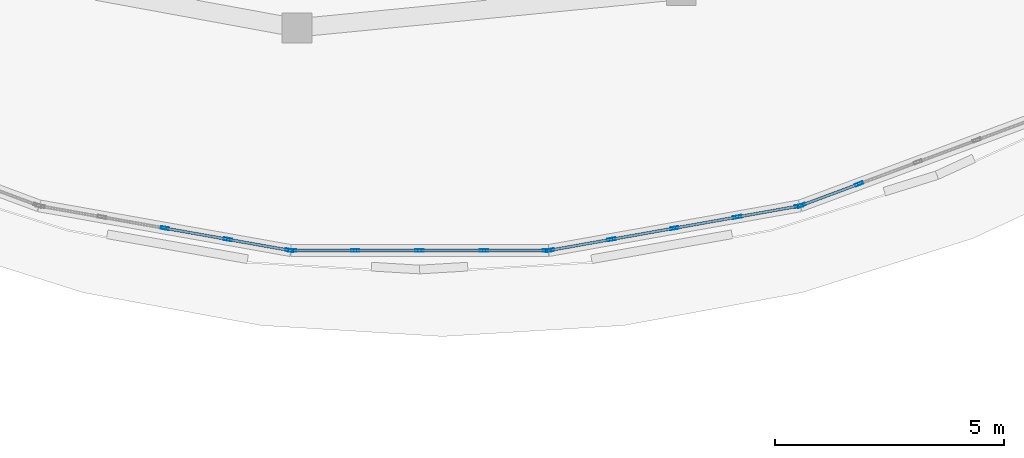
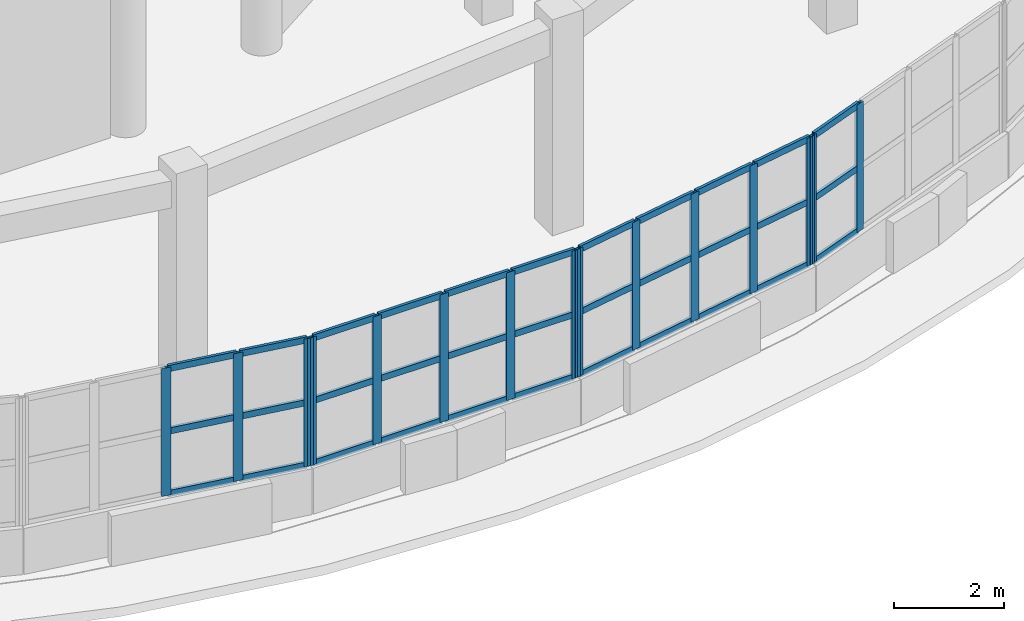
# One storey, part 12 of 105: 48 members, 4 elements without a shape of their own.
"""IFC4 building model written with IfcOpenShell, lengths in metres."""

import ifcopenshell
import ifcopenshell.guid

model = None  # the IFC model being written
_history = None  # IfcOwnerHistory: only IFC2X3 demands one
_inside = {}  # id of a spatial element -> (the spatial element, [elements in it])
_under = {}  # id of a project, library or spatial element -> (it, [spatial elements below it])
_declared = {}  # id of a project -> (the project, [libraries it declares])
_typed = {}  # id of a type object -> (the type object, [elements of that type])
_made_of = {}  # id of a material, layer set ... -> (it, [elements and type objects made of it])


def new_model(schema):
    """Start an empty IFC model of exactly this schema.

    Asked for "IFC4X3", IfcOpenShell would pick the latest addendum, in which some entities
    have other attributes; the version numbers below select the first issue.
    IFC2X3 requires an IfcOwnerHistory on every rooted entity: one is made here for all.
    """
    global model, _history
    if schema == "IFC4X3":
        model = ifcopenshell.file(schema_version=(4, 3, 0, 0))
    else:
        model = ifcopenshell.file(schema=schema)
    _inside.clear()
    _under.clear()
    _declared.clear()
    _typed.clear()
    _made_of.clear()
    _history = None
    if model.schema == "IFC2X3":
        org = make("IfcOrganization", Name="unknown")
        user = make(
            "IfcPersonAndOrganization",
            ThePerson=make("IfcPerson", FamilyName="unknown"),
            TheOrganization=org,
        )
        app = make(
            "IfcApplication",
            ApplicationDeveloper=org,
            Version="unknown",
            ApplicationFullName="unknown",
            ApplicationIdentifier="unknown",
        )
        _history = make(
            "IfcOwnerHistory",
            OwningUser=user,
            OwningApplication=app,
            ChangeAction="ADDED",
            CreationDate=0,
        )
    return model


def make(cls, **values):
    """One entity of the class cls with the attributes given. An attribute that is None is left unset."""
    return model.create_entity(
        cls, **{name: value for name, value in values.items() if value is not None}
    )


def rooted(cls, **values):
    """An entity with a GlobalId (a new one), such as an element, a storey or a relation."""
    return make(cls, GlobalId=ifcopenshell.guid.new(), OwnerHistory=_history, **values)


def si_unit(unit_type, name, prefix=None):
    """IfcSIUnit, for example si_unit("LENGTHUNIT", "METRE", prefix="MILLI")."""
    return make("IfcSIUnit", UnitType=unit_type, Prefix=prefix, Name=name)


def assignment(units):
    """IfcUnitAssignment: the units of a project."""
    return None if units is None else make("IfcUnitAssignment", Units=units)


def point(xyz):
    """IfcCartesianPoint."""
    return None if xyz is None else make("IfcCartesianPoint", Coordinates=xyz)


def direction(xyz):
    """IfcDirection."""
    return None if xyz is None else make("IfcDirection", DirectionRatios=xyz)


def frame(location, z_axis=None, x_axis=None):
    """IfcAxis2Placement3D, a coordinate frame: its origin and axes. An axis left out is left unset."""
    return make(
        "IfcAxis2Placement3D",
        Location=point(location),
        Axis=direction(z_axis),
        RefDirection=direction(x_axis),
    )


def frame_2d(location, x_axis=None):
    """IfcAxis2Placement2D, a coordinate frame in the plane: its origin and x axis."""
    return make(
        "IfcAxis2Placement2D", Location=point(location), RefDirection=direction(x_axis)
    )


def origin():
    """The frame at (0, 0, 0) with its axes left unset."""
    return frame((0.0, 0.0, 0.0))


def origin_2d():
    """The frame at (0, 0) in the plane with its x axis left unset."""
    return frame_2d((0.0, 0.0))


def place(relative_to, where):
    """IfcLocalPlacement: puts the frame where relative to a parent placement (None: the world)."""
    return make(
        "IfcLocalPlacement", PlacementRelTo=relative_to, RelativePlacement=where
    )


def context(
    kind, dimensions, precision=None, world=None, true_north=None, identifier=None
):
    """IfcGeometricRepresentationContext, for example the 3D "Model" context."""
    return make(
        "IfcGeometricRepresentationContext",
        ContextIdentifier=identifier,
        ContextType=kind,
        CoordinateSpaceDimension=dimensions,
        Precision=precision,
        WorldCoordinateSystem=world,
        TrueNorth=true_north,
    )


def subcontext(parent, identifier, kind, view, scale=None):
    """IfcGeometricRepresentationSubContext, for example "Body" below "Model"."""
    return make(
        "IfcGeometricRepresentationSubContext",
        ContextIdentifier=identifier,
        ContextType=kind,
        ParentContext=parent,
        TargetScale=scale,
        TargetView=view,
    )


def project(units=None, contexts=None):
    """IfcProject with its units and contexts."""
    return rooted(
        "IfcProject",
        Name="project",
        RepresentationContexts=contexts,
        UnitsInContext=assignment(units),
    )


def spatial(cls, under=None, at=None, **own):
    """A site, building, storey or space (cls), placed at a placement, below another one or the project."""
    s = rooted(cls, ObjectPlacement=at, **own)
    if under is not None:
        _under.setdefault(under.id(), (under, []))[1].append(s)
    return s


def profile(cls, at=None, kind="AREA", **sizes):
    """A parametric profile (cls). Its sizes go by their IFC names, for example OverallWidth=200.0."""
    return make(cls, ProfileType=kind, Position=at, **sizes)


def hollow_rectangle(**sizes):
    """IfcRectangleHollowProfileDef."""
    return profile("IfcRectangleHollowProfileDef", **sizes)


def extrude(swept, where, along, depth):
    """IfcExtrudedAreaSolid: the profile swept, set in the frame where, extruded along a direction by depth."""
    return make(
        "IfcExtrudedAreaSolid",
        SweptArea=swept,
        Position=where,
        ExtrudedDirection=direction(along),
        Depth=depth,
    )


def shape(context_of_items, identifier, shape_type, items):
    """IfcShapeRepresentation: the items that make up one representation, for example the "Body"."""
    return make(
        "IfcShapeRepresentation",
        ContextOfItems=context_of_items,
        RepresentationIdentifier=identifier,
        RepresentationType=shape_type,
        Items=items,
    )


def material(Name=None, Category=None):
    """IfcMaterial."""
    return make("IfcMaterial", Name=Name, Category=Category)


def layer(
    of_material, thickness, ventilated=None, Name=None, Category=None, Priority=None
):
    """IfcMaterialLayer: one layer of a wall or slab, of a material (None: an air gap)."""
    return make(
        "IfcMaterialLayer",
        Material=of_material,
        LayerThickness=thickness,
        IsVentilated=ventilated,
        Name=Name,
        Category=Category,
        Priority=Priority,
    )


def layer_set(layers, Name=None):
    """IfcMaterialLayerSet."""
    return make("IfcMaterialLayerSet", MaterialLayers=layers, LayerSetName=Name)


def material_profile(
    of_material, cross_section, Name=None, Category=None, Priority=None
):
    """IfcMaterialProfile: a cross section and its material."""
    return make(
        "IfcMaterialProfile",
        Name=Name,
        Material=of_material,
        Profile=cross_section,
        Priority=Priority,
        Category=Category,
    )


def profile_set(profiles, Name=None, composite=None):
    """IfcMaterialProfileSet."""
    return make(
        "IfcMaterialProfileSet",
        Name=Name,
        MaterialProfiles=profiles,
        CompositeProfile=composite,
    )


def made_of(thing, what):
    """Note that an element or type object is made of a material, layer set ...; save() writes the relation."""
    if what is not None:
        _made_of.setdefault(what.id(), (what, []))[1].append(thing)
    return thing


def type_object(cls, material=None, **own):
    """A type object (cls), such as IfcWallType, which elements share."""
    return made_of(rooted(cls, **own), material)


def element(
    cls,
    number,
    at=None,
    inside=None,
    cuts=None,
    type_object=None,
    material=None,
    context=None,
    identifier="Body",
    shape_type=None,
    held_by="IfcProductDefinitionShape",
    body=None,
    shapes=None,
    **own,
):
    """One element of the class cls, such as IfcWall. Its Tag is "e" and its number.

    at: its placement. inside: the storey or other place that contains it. cuts: it is an
    opening in that element (IfcRelVoidsElement). A single representation is given by context,
    identifier, shape_type and body (its items); several are given by shapes. held_by: the class
    of the entity that holds the representations. save() writes the other relations.
    """
    e = rooted(cls, Tag="e%d" % number, ObjectPlacement=at, **own)
    if body is not None:
        shapes = [shape(context, identifier, shape_type, body)]
    if shapes is not None:
        e.Representation = make(held_by, Representations=shapes)
    if inside is not None:
        _inside.setdefault(inside.id(), (inside, []))[1].append(e)
    if cuts is not None:
        rooted(
            "IfcRelVoidsElement", RelatingBuildingElement=cuts, RelatedOpeningElement=e
        )
    if type_object is not None:
        _typed.setdefault(type_object.id(), (type_object, []))[1].append(e)
    return made_of(e, material)


def aggregate(whole, parts):
    """IfcRelAggregates: a whole, such as a stair, and the parts it consists of."""
    return rooted("IfcRelAggregates", RelatingObject=whole, RelatedObjects=parts)


def save(model, path):
    """Write the relations noted so far, then the file.

    IfcRelAggregates (storeys below a building ...), IfcRelContainedInSpatialStructure (elements
    in a storey), IfcRelDefinesByType, IfcRelAssociatesMaterial and IfcRelDeclares: one each for
    every whole, place, type object, material and project.
    """
    for whole, parts in _under.values():
        aggregate(whole, parts)
    for where, things in _inside.values():
        rooted(
            "IfcRelContainedInSpatialStructure",
            RelatedElements=things,
            RelatingStructure=where,
        )
    for kind, things in _typed.values():
        rooted("IfcRelDefinesByType", RelatedObjects=things, RelatingType=kind)
    for what, things in _made_of.values():
        rooted("IfcRelAssociatesMaterial", RelatedObjects=things, RelatingMaterial=what)
    for by, libraries in _declared.values():
        rooted("IfcRelDeclares", RelatingContext=by, RelatedDefinitions=libraries)
    model.write(path)


model = new_model("IFC4")

# Units and contexts
model_context = context("Model", 3, precision=1e-05, world=origin(), true_north=direction((0.0, 1.0)))
body_context = subcontext(model_context, "Body", "Model", "MODEL_VIEW")
ifc_project = project(units=[si_unit("LENGTHUNIT", "METRE"), si_unit("AREAUNIT", "SQUARE_METRE"), si_unit("VOLUMEUNIT", "CUBIC_METRE"), si_unit("PLANEANGLEUNIT", "RADIAN"), si_unit("MASSUNIT", "GRAM", prefix="KILO")], contexts=[model_context])

# Site, building, storey
site_placement = place(None, origin())
site = spatial("IfcSite", under=ifc_project, at=site_placement, CompositionType="ELEMENT")
building_placement = place(site_placement, origin())
building = spatial("IfcBuilding", under=site, at=building_placement, Name="Pelvatis Terrace Science Centre", CompositionType="ELEMENT")
storey_placement = place(building_placement, frame((0.0, 0.0, 10.199951171875)))
storey = spatial("IfcBuildingStorey", under=building, at=storey_placement, Name="L02", CompositionType="ELEMENT", Elevation=10.199951171875)

# Curtain wall, members
ifc_material_1 = material(Name="Bronze-anodised aluminium and laminated glass", Category="aluminium")
ifc_layer = layer(ifc_material_1, 0.179931640625)
ifc_layer_set = layer_set([ifc_layer], Name="Bronze-anodised aluminium and laminated glass")
curtain_wall_type = type_object("IfcCurtainWallType", Name="CW-RIBBON-A", PredefinedType="NOTDEFINED", material=ifc_layer_set)
curtain_wall_1_placement = place(storey_placement, origin())
curtain_wall_1 = element("IfcCurtainWall", 1, at=curtain_wall_1_placement, inside=storey, type_object=curtain_wall_type, Name="Ribbon curtain wall CW-174 (L02)", PredefinedType="NOTDEFINED")
ifc_material_2 = material(Name="Bronze-anodised aluminium 6063-T6", Category="aluminium")
ifc_material_profile_1 = material_profile(ifc_material_2, hollow_rectangle(XDim=0.06005859375, YDim=0.179931640625, WallThickness=0.00390625, at=origin_2d()), Name="ALU-MUL 60x180")
ifc_profile_set_1 = profile_set([ifc_material_profile_1], Name="Bronze-anodised aluminium 6063-T6")
member_type_1 = type_object("IfcMemberType", Name="CWM-60x180", PredefinedType="MULLION", material=ifc_profile_set_1)
member_1_placement = place(storey_placement, frame((105.048095703125, 61.560791015625, 1.02001953125), z_axis=(0.0, 0.0, 1.0), x_axis=(0.174983117252, 0.984571434014, 0.0)))
member_1 = element("IfcMember", 2, at=member_1_placement, type_object=member_type_1, Name="CW-174 mullion 3", PredefinedType="MULLION", context=body_context, shape_type="SweptSolid", body=[
    extrude(hollow_rectangle(XDim=0.06005859375, YDim=0.179931640625, WallThickness=0.00390625, at=origin_2d()), origin(), (0.0, 0.0, 1.0), 2.840087890625),
])
member_2_placement = place(storey_placement, frame((106.420654296875, 61.31689453125, 1.02001953125), z_axis=(0.0, 0.0, 1.0), x_axis=(0.174983117252, 0.984571434014, 0.0)))
member_2 = element("IfcMember", 3, at=member_2_placement, type_object=member_type_1, Name="CW-174 mullion 4", PredefinedType="MULLION", context=body_context, shape_type="SweptSolid", body=[
    extrude(hollow_rectangle(XDim=0.06005859375, YDim=0.179931640625, WallThickness=0.00390625, at=origin_2d()), origin(), (0.0, 0.0, 1.0), 2.840087890625),
])
member_3_placement = place(storey_placement, frame((107.763916015625, 61.078369140625, 1.02001953125), z_axis=(0.0, 0.0, 1.0), x_axis=(0.174983117252, 0.984571434014, 0.0)))
member_3 = element("IfcMember", 4, at=member_3_placement, type_object=member_type_1, Name="CW-174 mullion 5", PredefinedType="MULLION", context=body_context, shape_type="SweptSolid", body=[
    extrude(hollow_rectangle(XDim=0.06005859375, YDim=0.179931640625, WallThickness=0.00390625, at=origin_2d()), origin(), (0.0, 0.0, 1.0), 2.840087890625),
])

curtain_wall_2_placement = place(storey_placement, origin())
curtain_wall_2 = element("IfcCurtainWall", 5, at=curtain_wall_2_placement, inside=storey, type_object=curtain_wall_type, Name="Ribbon curtain wall CW-175 (L02)", PredefinedType="NOTDEFINED")
member_4_placement = place(storey_placement, frame((107.823486328125, 61.072998046875, 1.02001953125), z_axis=(0.0, 0.0, 1.0), x_axis=(0.0, 1.0, 0.0)))
member_4 = element("IfcMember", 6, at=member_4_placement, type_object=member_type_1, Name="CW-175 mullion 1", PredefinedType="MULLION", context=body_context, shape_type="SweptSolid", body=[
    extrude(hollow_rectangle(XDim=0.06005859375, YDim=0.179931640625, WallThickness=0.00390625, at=origin_2d()), origin(), (0.0, 0.0, 1.0), 2.840087890625),
])
member_5_placement = place(storey_placement, frame((109.19677734375, 61.072998046875, 1.02001953125), z_axis=(0.0, 0.0, 1.0), x_axis=(0.0, 1.0, 0.0)))
member_5 = element("IfcMember", 7, at=member_5_placement, type_object=member_type_1, Name="CW-175 mullion 2", PredefinedType="MULLION", context=body_context, shape_type="SweptSolid", body=[
    extrude(hollow_rectangle(XDim=0.06005859375, YDim=0.179931640625, WallThickness=0.00390625, at=origin_2d()), origin(), (0.0, 0.0, 1.0), 2.840087890625),
])
member_6_placement = place(storey_placement, frame((110.60009765625, 61.072998046875, 1.02001953125), z_axis=(0.0, 0.0, 1.0), x_axis=(0.0, 1.0, 0.0)))
member_6 = element("IfcMember", 8, at=member_6_placement, type_object=member_type_1, Name="CW-175 mullion 3", PredefinedType="MULLION", context=body_context, shape_type="SweptSolid", body=[
    extrude(hollow_rectangle(XDim=0.06005859375, YDim=0.179931640625, WallThickness=0.00390625, at=origin_2d()), origin(), (0.0, 0.0, 1.0), 2.840087890625),
])
member_7_placement = place(storey_placement, frame((112.00341796875, 61.072998046875, 1.02001953125), z_axis=(0.0, 0.0, 1.0), x_axis=(0.0, 1.0, 0.0)))
member_7 = element("IfcMember", 9, at=member_7_placement, type_object=member_type_1, Name="CW-175 mullion 4", PredefinedType="MULLION", context=body_context, shape_type="SweptSolid", body=[
    extrude(hollow_rectangle(XDim=0.06005859375, YDim=0.179931640625, WallThickness=0.00390625, at=origin_2d()), origin(), (0.0, 0.0, 1.0), 2.840087890625),
])
member_8_placement = place(storey_placement, frame((113.376708984375, 61.072998046875, 1.02001953125), z_axis=(0.0, 0.0, 1.0), x_axis=(0.0, 1.0, 0.0)))
member_8 = element("IfcMember", 10, at=member_8_placement, type_object=member_type_1, Name="CW-175 mullion 5", PredefinedType="MULLION", context=body_context, shape_type="SweptSolid", body=[
    extrude(hollow_rectangle(XDim=0.06005859375, YDim=0.179931640625, WallThickness=0.00390625, at=origin_2d()), origin(), (0.0, 0.0, 1.0), 2.840087890625),
])

curtain_wall_3_placement = place(storey_placement, origin())
curtain_wall_3 = element("IfcCurtainWall", 11, at=curtain_wall_3_placement, inside=storey, type_object=curtain_wall_type, Name="Ribbon curtain wall CW-176 (L02)", PredefinedType="NOTDEFINED")
member_9_placement = place(storey_placement, frame((113.43603515625, 61.078369140625, 1.02001953125), z_axis=(0.0, 0.0, 1.0), x_axis=(-0.174983117252, 0.984571434014, 0.0)))
member_9 = element("IfcMember", 12, at=member_9_placement, type_object=member_type_1, Name="CW-176 mullion 1", PredefinedType="MULLION", context=body_context, shape_type="SweptSolid", body=[
    extrude(hollow_rectangle(XDim=0.06005859375, YDim=0.179931640625, WallThickness=0.00390625, at=origin_2d()), origin(), (0.0, 0.0, 1.0), 2.840087890625),
])
member_10_placement = place(storey_placement, frame((114.779296875, 61.31689453125, 1.02001953125), z_axis=(0.0, 0.0, 1.0), x_axis=(-0.174983117252, 0.984571434014, 0.0)))
member_10 = element("IfcMember", 13, at=member_10_placement, type_object=member_type_1, Name="CW-176 mullion 2", PredefinedType="MULLION", context=body_context, shape_type="SweptSolid", body=[
    extrude(hollow_rectangle(XDim=0.06005859375, YDim=0.179931640625, WallThickness=0.00390625, at=origin_2d()), origin(), (0.0, 0.0, 1.0), 2.840087890625),
])
member_11_placement = place(storey_placement, frame((116.15185546875, 61.560791015625, 1.02001953125), z_axis=(0.0, 0.0, 1.0), x_axis=(-0.174983117252, 0.984571434014, 0.0)))
member_11 = element("IfcMember", 14, at=member_11_placement, type_object=member_type_1, Name="CW-176 mullion 3", PredefinedType="MULLION", context=body_context, shape_type="SweptSolid", body=[
    extrude(hollow_rectangle(XDim=0.06005859375, YDim=0.179931640625, WallThickness=0.00390625, at=origin_2d()), origin(), (0.0, 0.0, 1.0), 2.840087890625),
])
member_12_placement = place(storey_placement, frame((117.5244140625, 61.804931640625, 1.02001953125), z_axis=(0.0, 0.0, 1.0), x_axis=(-0.174983117252, 0.984571434014, 0.0)))
member_12 = element("IfcMember", 15, at=member_12_placement, type_object=member_type_1, Name="CW-176 mullion 4", PredefinedType="MULLION", context=body_context, shape_type="SweptSolid", body=[
    extrude(hollow_rectangle(XDim=0.06005859375, YDim=0.179931640625, WallThickness=0.00390625, at=origin_2d()), origin(), (0.0, 0.0, 1.0), 2.840087890625),
])
member_13_placement = place(storey_placement, frame((118.86767578125, 62.04345703125, 1.02001953125), z_axis=(0.0, 0.0, 1.0), x_axis=(-0.174983117252, 0.984571434014, 0.0)))
member_13 = element("IfcMember", 16, at=member_13_placement, type_object=member_type_1, Name="CW-176 mullion 5", PredefinedType="MULLION", context=body_context, shape_type="SweptSolid", body=[
    extrude(hollow_rectangle(XDim=0.06005859375, YDim=0.179931640625, WallThickness=0.00390625, at=origin_2d()), origin(), (0.0, 0.0, 1.0), 2.840087890625),
])

curtain_wall_4_placement = place(storey_placement, origin())
curtain_wall_4 = element("IfcCurtainWall", 17, at=curtain_wall_4_placement, inside=storey, type_object=curtain_wall_type, Name="Ribbon curtain wall CW-177 (L02)", PredefinedType="NOTDEFINED")
member_14_placement = place(storey_placement, frame((118.92529296875, 62.059326171875, 1.02001953125), z_axis=(0.0, 0.0, 1.0), x_axis=(-0.348869228095, 0.937171415318, 0.0)))
member_14 = element("IfcMember", 18, at=member_14_placement, type_object=member_type_1, Name="CW-177 mullion 1", PredefinedType="MULLION", context=body_context, shape_type="SweptSolid", body=[
    extrude(hollow_rectangle(XDim=0.06005859375, YDim=0.179931640625, WallThickness=0.00390625, at=origin_2d()), origin(), (0.0, 0.0, 1.0), 2.840087890625),
])
member_15_placement = place(storey_placement, frame((120.178955078125, 62.526123046875, 1.02001953125), z_axis=(0.0, 0.0, 1.0), x_axis=(-0.348869228095, 0.937171415318, 0.0)))
member_15 = element("IfcMember", 19, at=member_15_placement, type_object=member_type_1, Name="CW-177 mullion 2", PredefinedType="MULLION", context=body_context, shape_type="SweptSolid", body=[
    extrude(hollow_rectangle(XDim=0.06005859375, YDim=0.179931640625, WallThickness=0.00390625, at=origin_2d()), origin(), (0.0, 0.0, 1.0), 2.840087890625),
])

# Member
ifc_material_3 = material(Name="Bronze-anodised aluminium 6063-T6", Category="aluminium")
ifc_material_profile_2 = material_profile(ifc_material_3, hollow_rectangle(XDim=0.06005859375, YDim=0.139892578125, WallThickness=0.00390625, at=origin_2d()), Name="ALU-TRN 60x140")
ifc_profile_set_2 = profile_set([ifc_material_profile_2], Name="Bronze-anodised aluminium 6063-T6")
member_type_2 = type_object("IfcMemberType", Name="CWT-60x140", PredefinedType="USERDEFINED", material=ifc_profile_set_2)
member_16_placement = place(storey_placement, frame((105.07763671875, 61.5556640625, 1.050048828125), z_axis=(0.984582121579, -0.174922971238, 0.0), x_axis=(0.174922971238, 0.984582121579, 0.0)))
member_16 = element("IfcMember", 20, at=member_16_placement, type_object=member_type_2, Name="CW-174 transom 3.1", ObjectType="TRANSOM", PredefinedType="USERDEFINED", context=body_context, shape_type="SweptSolid", body=[
    extrude(hollow_rectangle(XDim=0.06005859375, YDim=0.139892578125, WallThickness=0.00390625, at=origin_2d()), origin(), (0.0, 0.0, 1.0), 1.334228515625),
])

member_17_placement = place(storey_placement, frame((105.07763671875, 61.5556640625, 2.43994140625), z_axis=(0.984582121579, -0.174922971238, 0.0), x_axis=(0.174922971238, 0.984582121579, 0.0)))
member_17 = element("IfcMember", 21, at=member_17_placement, type_object=member_type_2, Name="CW-174 transom 3.2", ObjectType="TRANSOM", PredefinedType="USERDEFINED", context=body_context, shape_type="SweptSolid", body=[
    extrude(hollow_rectangle(XDim=0.06005859375, YDim=0.139892578125, WallThickness=0.00390625, at=origin_2d()), origin(), (0.0, 0.0, 1.0), 1.334228515625),
])

member_18_placement = place(storey_placement, frame((105.07763671875, 61.5556640625, 3.830078125), z_axis=(0.984582121579, -0.174922971238, 0.0), x_axis=(0.174922971238, 0.984582121579, 0.0)))
member_18 = element("IfcMember", 22, at=member_18_placement, type_object=member_type_2, Name="CW-174 transom 3.3", ObjectType="TRANSOM", PredefinedType="USERDEFINED", context=body_context, shape_type="SweptSolid", body=[
    extrude(hollow_rectangle(XDim=0.06005859375, YDim=0.139892578125, WallThickness=0.00390625, at=origin_2d()), origin(), (0.0, 0.0, 1.0), 1.334228515625),
])

member_19_placement = place(storey_placement, frame((106.4501953125, 61.311767578125, 1.050048828125), z_axis=(0.984566091684, -0.175013174092, 0.0), x_axis=(0.175013174092, 0.984566091684, 0.0)))
member_19 = element("IfcMember", 23, at=member_19_placement, type_object=member_type_2, Name="CW-174 transom 4.1", ObjectType="TRANSOM", PredefinedType="USERDEFINED", context=body_context, shape_type="SweptSolid", body=[
    extrude(hollow_rectangle(XDim=0.06005859375, YDim=0.139892578125, WallThickness=0.00390625, at=origin_2d()), origin(), (0.0, 0.0, 1.0), 1.30419921875),
])

member_20_placement = place(storey_placement, frame((106.4501953125, 61.311767578125, 2.43994140625), z_axis=(0.984566091684, -0.175013174092, 0.0), x_axis=(0.175013174092, 0.984566091684, 0.0)))
member_20 = element("IfcMember", 24, at=member_20_placement, type_object=member_type_2, Name="CW-174 transom 4.2", ObjectType="TRANSOM", PredefinedType="USERDEFINED", context=body_context, shape_type="SweptSolid", body=[
    extrude(hollow_rectangle(XDim=0.06005859375, YDim=0.139892578125, WallThickness=0.00390625, at=origin_2d()), origin(), (0.0, 0.0, 1.0), 1.30419921875),
])

member_21_placement = place(storey_placement, frame((106.4501953125, 61.311767578125, 3.830078125), z_axis=(0.984566091684, -0.175013174092, 0.0), x_axis=(0.175013174092, 0.984566091684, 0.0)))
member_21 = element("IfcMember", 25, at=member_21_placement, type_object=member_type_2, Name="CW-174 transom 4.3", ObjectType="TRANSOM", PredefinedType="USERDEFINED", context=body_context, shape_type="SweptSolid", body=[
    extrude(hollow_rectangle(XDim=0.06005859375, YDim=0.139892578125, WallThickness=0.00390625, at=origin_2d()), origin(), (0.0, 0.0, 1.0), 1.30419921875),
])

aggregate(curtain_wall_1, [member_1, member_2, member_3, member_16, member_17, member_18, member_19, member_20, member_21])

member_22_placement = place(storey_placement, frame((107.853515625, 61.072998046875, 1.050048828125), z_axis=(1.0, 0.0, 0.0), x_axis=(0.0, 1.0, 0.0)))
member_22 = element("IfcMember", 26, at=member_22_placement, type_object=member_type_2, Name="CW-175 transom 1.1", ObjectType="TRANSOM", PredefinedType="USERDEFINED", context=body_context, shape_type="SweptSolid", body=[
    extrude(hollow_rectangle(XDim=0.06005859375, YDim=0.139892578125, WallThickness=0.00390625, at=origin_2d()), origin(), (0.0, 0.0, 1.0), 1.313232421875),
])

member_23_placement = place(storey_placement, frame((107.853515625, 61.072998046875, 2.43994140625), z_axis=(1.0, 0.0, 0.0), x_axis=(0.0, 1.0, 0.0)))
member_23 = element("IfcMember", 27, at=member_23_placement, type_object=member_type_2, Name="CW-175 transom 1.2", ObjectType="TRANSOM", PredefinedType="USERDEFINED", context=body_context, shape_type="SweptSolid", body=[
    extrude(hollow_rectangle(XDim=0.06005859375, YDim=0.139892578125, WallThickness=0.00390625, at=origin_2d()), origin(), (0.0, 0.0, 1.0), 1.313232421875),
])

member_24_placement = place(storey_placement, frame((107.853515625, 61.072998046875, 3.830078125), z_axis=(1.0, 0.0, 0.0), x_axis=(0.0, 1.0, 0.0)))
member_24 = element("IfcMember", 28, at=member_24_placement, type_object=member_type_2, Name="CW-175 transom 1.3", ObjectType="TRANSOM", PredefinedType="USERDEFINED", context=body_context, shape_type="SweptSolid", body=[
    extrude(hollow_rectangle(XDim=0.06005859375, YDim=0.139892578125, WallThickness=0.00390625, at=origin_2d()), origin(), (0.0, 0.0, 1.0), 1.313232421875),
])

member_25_placement = place(storey_placement, frame((109.226806640625, 61.072998046875, 1.050048828125), z_axis=(1.0, 0.0, 0.0), x_axis=(0.0, 1.0, 0.0)))
member_25 = element("IfcMember", 29, at=member_25_placement, type_object=member_type_2, Name="CW-175 transom 2.1", ObjectType="TRANSOM", PredefinedType="USERDEFINED", context=body_context, shape_type="SweptSolid", body=[
    extrude(hollow_rectangle(XDim=0.06005859375, YDim=0.139892578125, WallThickness=0.00390625, at=origin_2d()), origin(), (0.0, 0.0, 1.0), 1.34326171875),
])

member_26_placement = place(storey_placement, frame((109.226806640625, 61.072998046875, 2.43994140625), z_axis=(1.0, 0.0, 0.0), x_axis=(0.0, 1.0, 0.0)))
member_26 = element("IfcMember", 30, at=member_26_placement, type_object=member_type_2, Name="CW-175 transom 2.2", ObjectType="TRANSOM", PredefinedType="USERDEFINED", context=body_context, shape_type="SweptSolid", body=[
    extrude(hollow_rectangle(XDim=0.06005859375, YDim=0.139892578125, WallThickness=0.00390625, at=origin_2d()), origin(), (0.0, 0.0, 1.0), 1.34326171875),
])

member_27_placement = place(storey_placement, frame((109.226806640625, 61.072998046875, 3.830078125), z_axis=(1.0, 0.0, 0.0), x_axis=(0.0, 1.0, 0.0)))
member_27 = element("IfcMember", 31, at=member_27_placement, type_object=member_type_2, Name="CW-175 transom 2.3", ObjectType="TRANSOM", PredefinedType="USERDEFINED", context=body_context, shape_type="SweptSolid", body=[
    extrude(hollow_rectangle(XDim=0.06005859375, YDim=0.139892578125, WallThickness=0.00390625, at=origin_2d()), origin(), (0.0, 0.0, 1.0), 1.34326171875),
])

member_28_placement = place(storey_placement, frame((110.6298828125, 61.072998046875, 1.050048828125), z_axis=(1.0, 0.0, 0.0), x_axis=(0.0, 1.0, 0.0)))
member_28 = element("IfcMember", 32, at=member_28_placement, type_object=member_type_2, Name="CW-175 transom 3.1", ObjectType="TRANSOM", PredefinedType="USERDEFINED", context=body_context, shape_type="SweptSolid", body=[
    extrude(hollow_rectangle(XDim=0.06005859375, YDim=0.139892578125, WallThickness=0.00390625, at=origin_2d()), origin(), (0.0, 0.0, 1.0), 1.343505859375),
])

member_29_placement = place(storey_placement, frame((110.6298828125, 61.072998046875, 2.43994140625), z_axis=(1.0, 0.0, 0.0), x_axis=(0.0, 1.0, 0.0)))
member_29 = element("IfcMember", 33, at=member_29_placement, type_object=member_type_2, Name="CW-175 transom 3.2", ObjectType="TRANSOM", PredefinedType="USERDEFINED", context=body_context, shape_type="SweptSolid", body=[
    extrude(hollow_rectangle(XDim=0.06005859375, YDim=0.139892578125, WallThickness=0.00390625, at=origin_2d()), origin(), (0.0, 0.0, 1.0), 1.343505859375),
])

member_30_placement = place(storey_placement, frame((110.6298828125, 61.072998046875, 3.830078125), z_axis=(1.0, 0.0, 0.0), x_axis=(0.0, 1.0, 0.0)))
member_30 = element("IfcMember", 34, at=member_30_placement, type_object=member_type_2, Name="CW-175 transom 3.3", ObjectType="TRANSOM", PredefinedType="USERDEFINED", context=body_context, shape_type="SweptSolid", body=[
    extrude(hollow_rectangle(XDim=0.06005859375, YDim=0.139892578125, WallThickness=0.00390625, at=origin_2d()), origin(), (0.0, 0.0, 1.0), 1.343505859375),
])

member_31_placement = place(storey_placement, frame((112.033203125, 61.072998046875, 1.050048828125), z_axis=(1.0, 0.0, 0.0), x_axis=(0.0, 1.0, 0.0)))
member_31 = element("IfcMember", 35, at=member_31_placement, type_object=member_type_2, Name="CW-175 transom 4.1", ObjectType="TRANSOM", PredefinedType="USERDEFINED", context=body_context, shape_type="SweptSolid", body=[
    extrude(hollow_rectangle(XDim=0.06005859375, YDim=0.139892578125, WallThickness=0.00390625, at=origin_2d()), origin(), (0.0, 0.0, 1.0), 1.3134765625),
])

member_32_placement = place(storey_placement, frame((112.033203125, 61.072998046875, 2.43994140625), z_axis=(1.0, 0.0, 0.0), x_axis=(0.0, 1.0, 0.0)))
member_32 = element("IfcMember", 36, at=member_32_placement, type_object=member_type_2, Name="CW-175 transom 4.2", ObjectType="TRANSOM", PredefinedType="USERDEFINED", context=body_context, shape_type="SweptSolid", body=[
    extrude(hollow_rectangle(XDim=0.06005859375, YDim=0.139892578125, WallThickness=0.00390625, at=origin_2d()), origin(), (0.0, 0.0, 1.0), 1.3134765625),
])

member_33_placement = place(storey_placement, frame((112.033203125, 61.072998046875, 3.830078125), z_axis=(1.0, 0.0, 0.0), x_axis=(0.0, 1.0, 0.0)))
member_33 = element("IfcMember", 37, at=member_33_placement, type_object=member_type_2, Name="CW-175 transom 4.3", ObjectType="TRANSOM", PredefinedType="USERDEFINED", context=body_context, shape_type="SweptSolid", body=[
    extrude(hollow_rectangle(XDim=0.06005859375, YDim=0.139892578125, WallThickness=0.00390625, at=origin_2d()), origin(), (0.0, 0.0, 1.0), 1.3134765625),
])

aggregate(curtain_wall_2, [member_4, member_5, member_6, member_7, member_8, member_22, member_23, member_24, member_25, member_26, member_27, member_28, member_29, member_30, member_31, member_32, member_33])

member_34_placement = place(storey_placement, frame((113.465576171875, 61.08349609375, 1.050048828125), z_axis=(0.984566091684, 0.175013174092, 0.0), x_axis=(-0.175013174092, 0.984566091684, 0.0)))
member_34 = element("IfcMember", 38, at=member_34_placement, type_object=member_type_2, Name="CW-176 transom 1.1", ObjectType="TRANSOM", PredefinedType="USERDEFINED", context=body_context, shape_type="SweptSolid", body=[
    extrude(hollow_rectangle(XDim=0.06005859375, YDim=0.139892578125, WallThickness=0.00390625, at=origin_2d()), origin(), (0.0, 0.0, 1.0), 1.30419921875),
])

member_35_placement = place(storey_placement, frame((113.465576171875, 61.08349609375, 2.43994140625), z_axis=(0.984566091684, 0.175013174092, 0.0), x_axis=(-0.175013174092, 0.984566091684, 0.0)))
member_35 = element("IfcMember", 39, at=member_35_placement, type_object=member_type_2, Name="CW-176 transom 1.2", ObjectType="TRANSOM", PredefinedType="USERDEFINED", context=body_context, shape_type="SweptSolid", body=[
    extrude(hollow_rectangle(XDim=0.06005859375, YDim=0.139892578125, WallThickness=0.00390625, at=origin_2d()), origin(), (0.0, 0.0, 1.0), 1.30419921875),
])

member_36_placement = place(storey_placement, frame((113.465576171875, 61.08349609375, 3.830078125), z_axis=(0.984566091684, 0.175013174092, 0.0), x_axis=(-0.175013174092, 0.984566091684, 0.0)))
member_36 = element("IfcMember", 40, at=member_36_placement, type_object=member_type_2, Name="CW-176 transom 1.3", ObjectType="TRANSOM", PredefinedType="USERDEFINED", context=body_context, shape_type="SweptSolid", body=[
    extrude(hollow_rectangle(XDim=0.06005859375, YDim=0.139892578125, WallThickness=0.00390625, at=origin_2d()), origin(), (0.0, 0.0, 1.0), 1.30419921875),
])

member_37_placement = place(storey_placement, frame((114.808837890625, 61.322265625, 1.050048828125), z_axis=(0.984576521425, 0.174954489681, 0.0), x_axis=(-0.174954489681, 0.984576521425, 0.0)))
member_37 = element("IfcMember", 41, at=member_37_placement, type_object=member_type_2, Name="CW-176 transom 2.1", ObjectType="TRANSOM", PredefinedType="USERDEFINED", context=body_context, shape_type="SweptSolid", body=[
    extrude(hollow_rectangle(XDim=0.06005859375, YDim=0.139892578125, WallThickness=0.00390625, at=origin_2d()), origin(), (0.0, 0.0, 1.0), 1.333984375),
])

member_38_placement = place(storey_placement, frame((114.808837890625, 61.322265625, 2.43994140625), z_axis=(0.984576521425, 0.174954489681, 0.0), x_axis=(-0.174954489681, 0.984576521425, 0.0)))
member_38 = element("IfcMember", 42, at=member_38_placement, type_object=member_type_2, Name="CW-176 transom 2.2", ObjectType="TRANSOM", PredefinedType="USERDEFINED", context=body_context, shape_type="SweptSolid", body=[
    extrude(hollow_rectangle(XDim=0.06005859375, YDim=0.139892578125, WallThickness=0.00390625, at=origin_2d()), origin(), (0.0, 0.0, 1.0), 1.333984375),
])

member_39_placement = place(storey_placement, frame((114.808837890625, 61.322265625, 3.830078125), z_axis=(0.984576521425, 0.174954489681, 0.0), x_axis=(-0.174954489681, 0.984576521425, 0.0)))
member_39 = element("IfcMember", 43, at=member_39_placement, type_object=member_type_2, Name="CW-176 transom 2.3", ObjectType="TRANSOM", PredefinedType="USERDEFINED", context=body_context, shape_type="SweptSolid", body=[
    extrude(hollow_rectangle(XDim=0.06005859375, YDim=0.139892578125, WallThickness=0.00390625, at=origin_2d()), origin(), (0.0, 0.0, 1.0), 1.333984375),
])

member_40_placement = place(storey_placement, frame((116.181396484375, 61.566162109375, 1.050048828125), z_axis=(0.984576521425, 0.174954489681, 0.0), x_axis=(-0.174954489681, 0.984576521425, 0.0)))
member_40 = element("IfcMember", 44, at=member_40_placement, type_object=member_type_2, Name="CW-176 transom 3.1", ObjectType="TRANSOM", PredefinedType="USERDEFINED", context=body_context, shape_type="SweptSolid", body=[
    extrude(hollow_rectangle(XDim=0.06005859375, YDim=0.139892578125, WallThickness=0.00390625, at=origin_2d()), origin(), (0.0, 0.0, 1.0), 1.333984375),
])

member_41_placement = place(storey_placement, frame((116.181396484375, 61.566162109375, 2.43994140625), z_axis=(0.984576521425, 0.174954489681, 0.0), x_axis=(-0.174954489681, 0.984576521425, 0.0)))
member_41 = element("IfcMember", 45, at=member_41_placement, type_object=member_type_2, Name="CW-176 transom 3.2", ObjectType="TRANSOM", PredefinedType="USERDEFINED", context=body_context, shape_type="SweptSolid", body=[
    extrude(hollow_rectangle(XDim=0.06005859375, YDim=0.139892578125, WallThickness=0.00390625, at=origin_2d()), origin(), (0.0, 0.0, 1.0), 1.333984375),
])

member_42_placement = place(storey_placement, frame((116.181396484375, 61.566162109375, 3.830078125), z_axis=(0.984576521425, 0.174954489681, 0.0), x_axis=(-0.174954489681, 0.984576521425, 0.0)))
member_42 = element("IfcMember", 46, at=member_42_placement, type_object=member_type_2, Name="CW-176 transom 3.3", ObjectType="TRANSOM", PredefinedType="USERDEFINED", context=body_context, shape_type="SweptSolid", body=[
    extrude(hollow_rectangle(XDim=0.06005859375, YDim=0.139892578125, WallThickness=0.00390625, at=origin_2d()), origin(), (0.0, 0.0, 1.0), 1.333984375),
])

member_43_placement = place(storey_placement, frame((117.553955078125, 61.81005859375, 1.050048828125), z_axis=(0.984566091684, 0.175013174092, 0.0), x_axis=(-0.175013174092, 0.984566091684, 0.0)))
member_43 = element("IfcMember", 47, at=member_43_placement, type_object=member_type_2, Name="CW-176 transom 4.1", ObjectType="TRANSOM", PredefinedType="USERDEFINED", context=body_context, shape_type="SweptSolid", body=[
    extrude(hollow_rectangle(XDim=0.06005859375, YDim=0.139892578125, WallThickness=0.00390625, at=origin_2d()), origin(), (0.0, 0.0, 1.0), 1.30419921875),
])

member_44_placement = place(storey_placement, frame((117.553955078125, 61.81005859375, 2.43994140625), z_axis=(0.984566091684, 0.175013174092, 0.0), x_axis=(-0.175013174092, 0.984566091684, 0.0)))
member_44 = element("IfcMember", 48, at=member_44_placement, type_object=member_type_2, Name="CW-176 transom 4.2", ObjectType="TRANSOM", PredefinedType="USERDEFINED", context=body_context, shape_type="SweptSolid", body=[
    extrude(hollow_rectangle(XDim=0.06005859375, YDim=0.139892578125, WallThickness=0.00390625, at=origin_2d()), origin(), (0.0, 0.0, 1.0), 1.30419921875),
])

member_45_placement = place(storey_placement, frame((117.553955078125, 61.81005859375, 3.830078125), z_axis=(0.984566091684, 0.175013174092, 0.0), x_axis=(-0.175013174092, 0.984566091684, 0.0)))
member_45 = element("IfcMember", 49, at=member_45_placement, type_object=member_type_2, Name="CW-176 transom 4.3", ObjectType="TRANSOM", PredefinedType="USERDEFINED", context=body_context, shape_type="SweptSolid", body=[
    extrude(hollow_rectangle(XDim=0.06005859375, YDim=0.139892578125, WallThickness=0.00390625, at=origin_2d()), origin(), (0.0, 0.0, 1.0), 1.30419921875),
])

aggregate(curtain_wall_3, [member_9, member_10, member_11, member_12, member_13, member_34, member_35, member_36, member_37, member_38, member_39, member_40, member_41, member_42, member_43, member_44, member_45])

member_46_placement = place(storey_placement, frame((118.953369140625, 62.06982421875, 1.050048828125), z_axis=(0.937166653275, 0.348882020159, 0.0), x_axis=(-0.348882020159, 0.937166653275, 0.0)))
member_46 = element("IfcMember", 50, at=member_46_placement, type_object=member_type_2, Name="CW-177 transom 1.1", ObjectType="TRANSOM", PredefinedType="USERDEFINED", context=body_context, shape_type="SweptSolid", body=[
    extrude(hollow_rectangle(XDim=0.06005859375, YDim=0.139892578125, WallThickness=0.00390625, at=origin_2d()), origin(), (0.0, 0.0, 1.0), 1.27783203125),
])

member_47_placement = place(storey_placement, frame((118.953369140625, 62.06982421875, 2.43994140625), z_axis=(0.937166653275, 0.348882020159, 0.0), x_axis=(-0.348882020159, 0.937166653275, 0.0)))
member_47 = element("IfcMember", 51, at=member_47_placement, type_object=member_type_2, Name="CW-177 transom 1.2", ObjectType="TRANSOM", PredefinedType="USERDEFINED", context=body_context, shape_type="SweptSolid", body=[
    extrude(hollow_rectangle(XDim=0.06005859375, YDim=0.139892578125, WallThickness=0.00390625, at=origin_2d()), origin(), (0.0, 0.0, 1.0), 1.27783203125),
])

member_48_placement = place(storey_placement, frame((118.953369140625, 62.06982421875, 3.830078125), z_axis=(0.937166653275, 0.348882020159, 0.0), x_axis=(-0.348882020159, 0.937166653275, 0.0)))
member_48 = element("IfcMember", 52, at=member_48_placement, type_object=member_type_2, Name="CW-177 transom 1.3", ObjectType="TRANSOM", PredefinedType="USERDEFINED", context=body_context, shape_type="SweptSolid", body=[
    extrude(hollow_rectangle(XDim=0.06005859375, YDim=0.139892578125, WallThickness=0.00390625, at=origin_2d()), origin(), (0.0, 0.0, 1.0), 1.27783203125),
])

aggregate(curtain_wall_4, [member_14, member_15, member_46, member_47, member_48])

save(model, "model.ifc")
